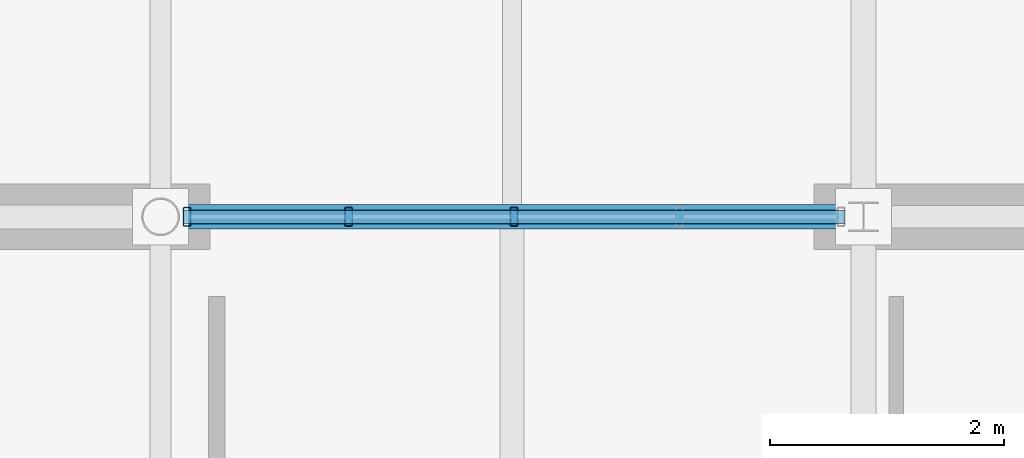
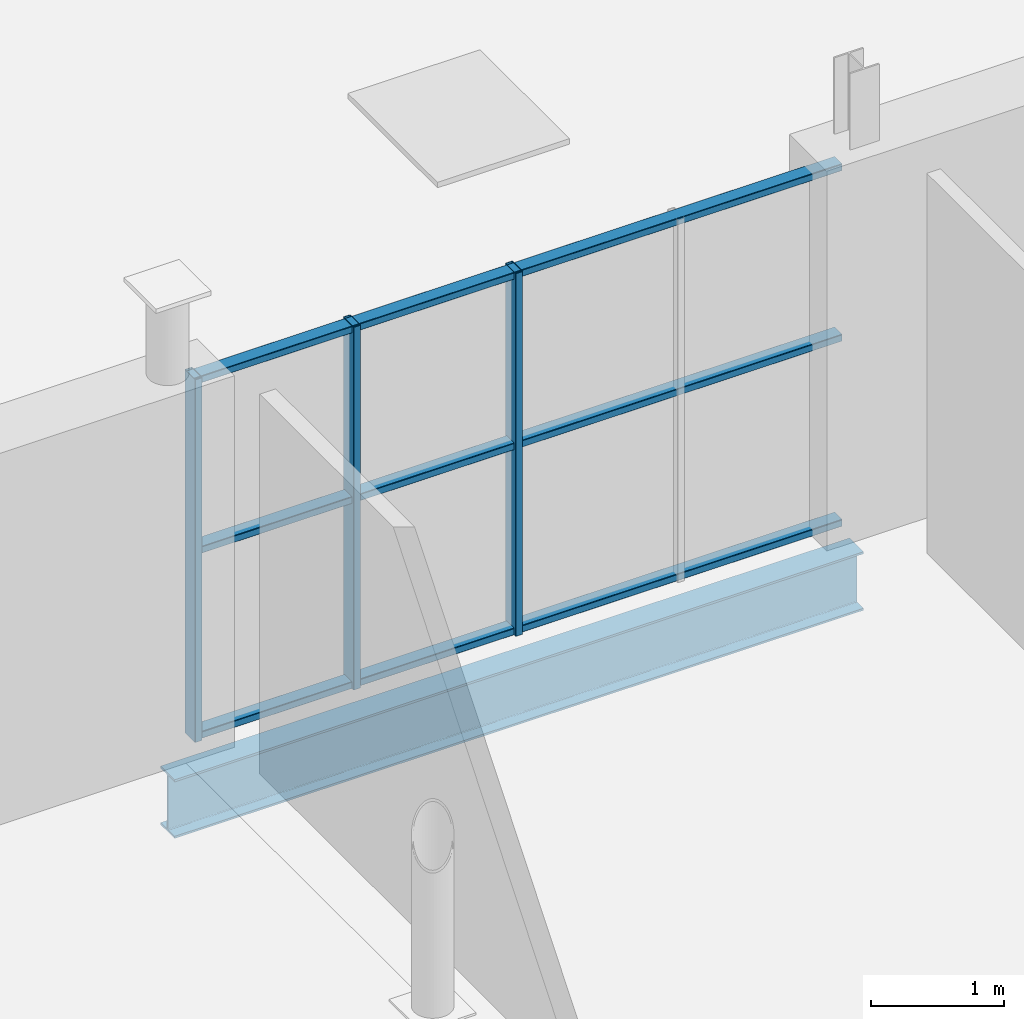
# One storey, part 17 of 27: 6 members, 1 beam, 1 element without a shape of its own.
"""IFC4 building model written with IfcOpenShell, lengths in metres."""

from ifc_helpers import new_model, si_unit, direction, frame, origin, origin_2d, place, context, subcontext, project, spatial, hollow_rectangle, i_section, extrude, material, material_profile, profile_set, type_object, element, aggregate, save


model = new_model("IFC4")

# Units and contexts
model_context = context("Model", 3, precision=1e-05, world=origin(), true_north=direction((0.0, 1.0)))
body_context = subcontext(model_context, "Body", "Model", "MODEL_VIEW")
ifc_project = project(units=[si_unit("LENGTHUNIT", "METRE"), si_unit("AREAUNIT", "SQUARE_METRE"), si_unit("VOLUMEUNIT", "CUBIC_METRE"), si_unit("PLANEANGLEUNIT", "RADIAN"), si_unit("MASSUNIT", "GRAM", prefix="KILO")], contexts=[model_context])

# Site, building, storey
site_placement = place(None, origin())
site = spatial("IfcSite", under=ifc_project, at=site_placement, CompositionType="ELEMENT")
building_placement = place(site_placement, origin())
building = spatial("IfcBuilding", under=site, at=building_placement, Name="Verrall Gate Interchange", CompositionType="ELEMENT")
storey_placement = place(building_placement, frame((0.0, 0.0, 28.60009765625)))
storey = spatial("IfcBuildingStorey", under=building, at=storey_placement, Name="L07", CompositionType="ELEMENT", Elevation=28.60009765625)

# Beam
ifc_material_1 = material(Name="Structural Steel CSA G40.21 350W", Category="steel")
ifc_material_profile_1 = material_profile(ifc_material_1, i_section(OverallWidth=0.2109375, OverallDepth=0.5390625, WebThickness=0.01171875, FlangeThickness=0.018798828125, FilletRadius=0.013916015625, at=origin_2d()), Name="W530x109")
ifc_profile_set_1 = profile_set([ifc_material_profile_1], Name="Structural Steel CSA G40.21 350W")
beam_type = type_object("IfcBeamType", Name="B-10 Structural Beam W530x109", PredefinedType="BEAM", material=ifc_profile_set_1)
beam_placement = place(storey_placement, frame((18.0, 44.0, -0.529541015625), z_axis=(1.0, 0.0, 0.0), x_axis=(0.0, 1.0, 0.0)))
element("IfcBeam", 1, at=beam_placement, inside=storey, type_object=beam_type, Name="L07 Girder BM-L07-3253 (B-10)", PredefinedType="BEAM", context=body_context, shape_type="SweptSolid", body=[
    extrude(i_section(OverallWidth=0.2109375, OverallDepth=0.5390625, WebThickness=0.01171875, FlangeThickness=0.018798828125, FilletRadius=0.013916015625, at=origin_2d()), origin(), (0.0, 0.0, 1.0), 6.0),
])

# Curtain wall, members
ifc_material_2 = material(Name="Thermally Broken Anodized Aluminium Curtain Wall Framing", Category="aluminium")
curtain_wall_type = type_object("IfcCurtainWallType", Name="CW-43 Unitized Curtain Wall 5612x3310", PredefinedType="NOTDEFINED", material=ifc_material_2)
curtain_wall_placement = place(storey_placement, origin())
curtain_wall = element("IfcCurtainWall", 2, at=curtain_wall_placement, inside=storey, type_object=curtain_wall_type, Name="L07 Unitized Curtain Wall CW-L07-162", PredefinedType="NOTDEFINED")
ifc_material_3 = material(Name="Thermally Broken Anodized Aluminium Curtain Wall Framing", Category="aluminium")
ifc_material_profile_2 = material_profile(ifc_material_3, hollow_rectangle(XDim=0.06494140625, YDim=0.159912109375, WallThickness=0.00390625, InnerFilletRadius=0.00390625, OuterFilletRadius=0.008056640625, at=origin_2d()), Name="CWM160x65x4")
ifc_profile_set_2 = profile_set([ifc_material_profile_2], Name="Thermally Broken Anodized Aluminium Curtain Wall Framing")
member_type_1 = type_object("IfcMemberType", Name="CM-01 Curtain Mullion CWM160x65x4", PredefinedType="MULLION", material=ifc_profile_set_2)
member_1_placement = place(storey_placement, frame((21.017333984375, 44.0, 0.0), z_axis=(0.0, 0.0, 1.0), x_axis=(-1.0, 0.0, 0.0)))
member_1 = element("IfcMember", 3, at=member_1_placement, type_object=member_type_1, Name="CW-L07-162 Mullion 3", PredefinedType="MULLION", context=body_context, shape_type="SweptSolid", body=[
    extrude(hollow_rectangle(XDim=0.06494140625, YDim=0.159912109375, WallThickness=0.00390625, InnerFilletRadius=0.00390625, OuterFilletRadius=0.008056640625, at=origin_2d()), origin(), (0.0, 0.0, 1.0), 3.33984375),
])
member_2_placement = place(storey_placement, frame((19.605712890625, 44.0, 0.0), z_axis=(0.0, 0.0, 1.0), x_axis=(-1.0, 0.0, 0.0)))
member_2 = element("IfcMember", 4, at=member_2_placement, type_object=member_type_1, Name="CW-L07-162 Mullion 4", PredefinedType="MULLION", context=body_context, shape_type="SweptSolid", body=[
    extrude(hollow_rectangle(XDim=0.06494140625, YDim=0.159912109375, WallThickness=0.00390625, InnerFilletRadius=0.00390625, OuterFilletRadius=0.008056640625, at=origin_2d()), origin(), (0.0, 0.0, 1.0), 3.33984375),
])
member_3_placement = place(storey_placement, frame((18.226318359375, 44.0, 0.0), z_axis=(0.0, 0.0, 1.0), x_axis=(-1.0, 0.0, 0.0)))
member_3 = element("IfcMember", 5, at=member_3_placement, type_object=member_type_1, Name="CW-L07-162 Mullion 5", PredefinedType="MULLION", context=body_context, shape_type="SweptSolid", body=[
    extrude(hollow_rectangle(XDim=0.06494140625, YDim=0.159912109375, WallThickness=0.00390625, InnerFilletRadius=0.00390625, OuterFilletRadius=0.008056640625, at=origin_2d()), origin(), (0.0, 0.0, 1.0), 3.33984375),
])
ifc_material_4 = material(Name="Thermally Broken Anodized Aluminium Curtain Wall Framing", Category="aluminium")
ifc_material_profile_3 = material_profile(ifc_material_4, hollow_rectangle(XDim=0.1201171875, YDim=0.06494140625, WallThickness=0.00390625, InnerFilletRadius=0.00390625, OuterFilletRadius=0.008056640625, at=origin_2d()), Name="CWT120x65x4")
ifc_profile_set_3 = profile_set([ifc_material_profile_3], Name="Thermally Broken Anodized Aluminium Curtain Wall Framing")
member_type_2 = type_object("IfcMemberType", Name="CT-01 Curtain Transom CWT120x65x4", PredefinedType="USERDEFINED", material=ifc_profile_set_3)
member_4_placement = place(storey_placement, frame((23.841064453125, 44.0, 0.032470703125), z_axis=(-1.0, 0.0, 0.0), x_axis=(0.0, -1.0, 0.0)))
member_4 = element("IfcMember", 6, at=member_4_placement, type_object=member_type_2, Name="CW-L07-162 Transom 1", ObjectType="TRANSOM", PredefinedType="USERDEFINED", context=body_context, shape_type="SweptSolid", body=[
    extrude(hollow_rectangle(XDim=0.1201171875, YDim=0.06494140625, WallThickness=0.00390625, InnerFilletRadius=0.00390625, OuterFilletRadius=0.008056640625, at=origin_2d()), origin(), (0.0, 0.0, 1.0), 5.647216796875),
])
member_5_placement = place(storey_placement, frame((23.841064453125, 44.0, 1.73681640625), z_axis=(-1.0, 0.0, 0.0), x_axis=(0.0, -1.0, 0.0)))
member_5 = element("IfcMember", 7, at=member_5_placement, type_object=member_type_2, Name="CW-L07-162 Transom 2", ObjectType="TRANSOM", PredefinedType="USERDEFINED", context=body_context, shape_type="SweptSolid", body=[
    extrude(hollow_rectangle(XDim=0.1201171875, YDim=0.06494140625, WallThickness=0.00390625, InnerFilletRadius=0.00390625, OuterFilletRadius=0.008056640625, at=origin_2d()), origin(), (0.0, 0.0, 1.0), 5.647216796875),
])
member_6_placement = place(storey_placement, frame((23.841064453125, 44.0, 3.307373046875), z_axis=(-1.0, 0.0, 0.0), x_axis=(0.0, -1.0, 0.0)))
member_6 = element("IfcMember", 8, at=member_6_placement, type_object=member_type_2, Name="CW-L07-162 Transom 3", ObjectType="TRANSOM", PredefinedType="USERDEFINED", context=body_context, shape_type="SweptSolid", body=[
    extrude(hollow_rectangle(XDim=0.1201171875, YDim=0.06494140625, WallThickness=0.00390625, InnerFilletRadius=0.00390625, OuterFilletRadius=0.008056640625, at=origin_2d()), origin(), (0.0, 0.0, 1.0), 5.647216796875),
])
aggregate(curtain_wall, [member_1, member_2, member_3, member_4, member_5, member_6])

save(model, "model.ifc")
